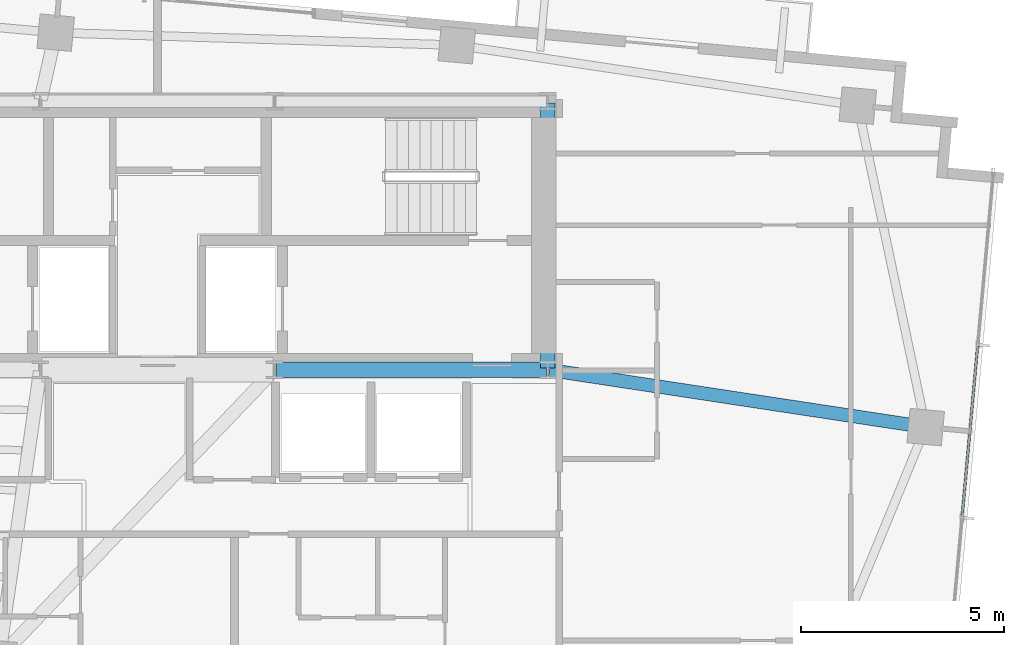
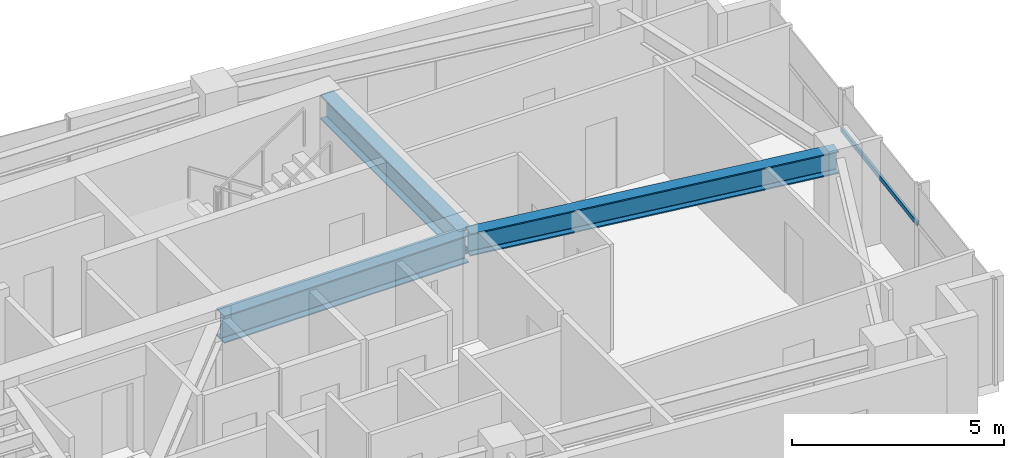
# One storey, part 13 of 22: 3 beams, 1 member, 1 element without a shape of its own.
"""IFC4 building model written with IfcOpenShell, lengths in metres."""

from ifc_helpers import new_model, si_unit, direction, frame, origin, origin_2d, place, context, subcontext, project, spatial, hollow_rectangle, i_section, extrude, source, transform, mapped, material, material_profile, profile_set, type_object, type_shapes, element, aggregate, save


model = new_model("IFC4")

# Units and contexts
model_context = context("Model", 3, precision=1e-05, world=origin(), true_north=direction((0.0, 1.0)))
body_context = subcontext(model_context, "Body", "Model", "MODEL_VIEW")
ifc_project = project(units=[si_unit("LENGTHUNIT", "METRE"), si_unit("AREAUNIT", "SQUARE_METRE"), si_unit("VOLUMEUNIT", "CUBIC_METRE"), si_unit("PLANEANGLEUNIT", "RADIAN"), si_unit("MASSUNIT", "GRAM", prefix="KILO")], contexts=[model_context])

# Site, building, storey
site_placement = place(None, origin())
site = spatial("IfcSite", under=ifc_project, at=site_placement, CompositionType="ELEMENT")
building_placement = place(site_placement, origin())
building = spatial("IfcBuilding", under=site, at=building_placement, Name="Astriad Promenade Condominiums", CompositionType="ELEMENT")
storey_placement = place(building_placement, frame((0.0, 0.0, 226.5)))
storey = spatial("IfcBuildingStorey", under=building, at=storey_placement, Name="L65", CompositionType="ELEMENT", Elevation=226.5)

# Beams
ifc_material_1 = material(Name="Steel ASTM A992 Grade 50", Category="steel")
ifc_material_profile_1 = material_profile(ifc_material_1, i_section(OverallWidth=0.3837890625, OverallDepth=0.785888671875, WebThickness=0.019775390625, FlangeThickness=0.033447265625, FilletRadius=0.021484375, at=origin_2d()), Name="W30X211")
ifc_profile_set_1 = profile_set([ifc_material_profile_1], Name="Steel ASTM A992 Grade 50")
beam_type_1 = type_object("IfcBeamType", Name="STEEL FLOOR GIRDER W30X211", PredefinedType="BEAM", material=ifc_profile_set_1)
shared_shape_1 = source(origin(), body_context, "Body", "SweptSolid", [
    extrude(i_section(OverallWidth=0.3837890625, OverallDepth=0.785888671875, WebThickness=0.019775390625, FlangeThickness=0.033447265625, FilletRadius=0.021484375, at=origin_2d()), origin(), (0.0, 0.0, 1.0), 6.64013671875),
])
type_shapes(beam_type_1, [shared_shape_1])
beam_1_placement = place(storey_placement, frame((38.919921875, 17.39990234375, 2.64697265625), z_axis=(1.0, 0.0, 0.0), x_axis=(0.0, 1.0, 0.0)))
element("IfcBeam", 1, at=beam_1_placement, inside=storey, type_object=beam_type_1, Name="Core Ring Beam CG-S3-L65", PredefinedType="BEAM", context=body_context, shape_type="MappedRepresentation", body=[
    mapped(shared_shape_1, transform((0.0, 0.0, 0.0), scale=1.0)),
])
ifc_material_profile_2 = material_profile(ifc_material_1, i_section(OverallWidth=0.35791015625, OverallDepth=0.706298828125, WebThickness=0.018310546875, FlangeThickness=0.0302734375, FilletRadius=0.020263671875, at=origin_2d()), Name="W27X178")
ifc_profile_set_2 = profile_set([ifc_material_profile_2], Name="Steel ASTM A992 Grade 50")
beam_type_2 = type_object("IfcBeamType", Name="STEEL FLOOR GIRDER W27X178", PredefinedType="BEAM", material=ifc_profile_set_2)
shared_shape_2 = source(origin(), body_context, "Body", "SweptSolid", [
    extrude(i_section(OverallWidth=0.35791015625, OverallDepth=0.706298828125, WebThickness=0.018310546875, FlangeThickness=0.0302734375, FilletRadius=0.020263671875, at=origin_2d()), origin(), (0.0, 0.0, 1.0), 6.52001953125),
])
type_shapes(beam_type_2, [shared_shape_2])
beam_2_placement = place(storey_placement, frame((45.60009765625, 17.43994140625, 2.686767578125), z_axis=(0.0, 1.0, 0.0), x_axis=(-1.0, 0.0, 0.0)))
element("IfcBeam", 2, at=beam_2_placement, inside=storey, type_object=beam_type_2, Name="Core Ring Beam CG-E1-L65", PredefinedType="BEAM", context=body_context, shape_type="MappedRepresentation", body=[
    mapped(shared_shape_2, transform((0.0, 0.0, 0.0), scale=1.0)),
])
ifc_material_profile_3 = material_profile(ifc_material_1, i_section(OverallWidth=0.327392578125, OverallDepth=0.640625, WebThickness=0.01904296875, FlangeThickness=0.033935546875, FilletRadius=0.017822265625, at=origin_2d()), Name="W24X176")
ifc_profile_set_3 = profile_set([ifc_material_profile_3], Name="Steel ASTM A992 Grade 50")
beam_type_3 = type_object("IfcBeamType", Name="STEEL FLOOR GIRDER W24X176", PredefinedType="BEAM", material=ifc_profile_set_3)
shared_shape_3 = source(origin(), body_context, "Body", "SweptSolid", [
    extrude(i_section(OverallWidth=0.327392578125, OverallDepth=0.640625, WebThickness=0.01904296875, FlangeThickness=0.033935546875, FilletRadius=0.017822265625, at=origin_2d()), origin(), (0.0, 0.0, 1.0), 9.315185546875),
])
type_shapes(beam_type_3, [shared_shape_3])
beam_3_placement = place(storey_placement, frame((54.84912109375, 15.995849609375, 2.7197265625), z_axis=(-0.988671230988, 0.150097291834, 0.0), x_axis=(-0.150097291834, -0.988671230988, 0.0)))
element("IfcBeam", 3, at=beam_3_placement, inside=storey, type_object=beam_type_3, Name="Primary Floor Girder PG-EM-L65", PredefinedType="BEAM", context=body_context, shape_type="MappedRepresentation", body=[
    mapped(shared_shape_3, transform((0.0, 0.0, 0.0), scale=1.0)),
])

# Curtain wall, member
ifc_material_2 = material(Name="Anodised aluminium Black Dark Glass Unitised", Category="aluminium")
curtain_wall_type = type_object("IfcCurtainWallType", Name="CW-B5-DARK", PredefinedType="USERDEFINED", material=ifc_material_2)
curtain_wall_placement = place(storey_placement, origin())
curtain_wall = element("IfcCurtainWall", 4, at=curtain_wall_placement, inside=storey, type_object=curtain_wall_type, Name="CW-L65-E", ObjectType="UNITISED_CURTAIN_WALL", PredefinedType="USERDEFINED")
ifc_material_3 = material(Name="Anodised aluminium 6063-T6 Black", Category="aluminium")
ifc_material_profile_4 = material_profile(ifc_material_3, hollow_rectangle(XDim=0.06494140625, YDim=0.1298828125, WallThickness=0.00390625, at=origin_2d()), Name="ALU-TRN-65X130")
ifc_profile_set_4 = profile_set([ifc_material_profile_4], Name="Anodised aluminium 6063-T6 Black")
member_type = type_object("IfcMemberType", Name="TRN-ALU-TRN-65X130", PredefinedType="USERDEFINED", material=ifc_profile_set_4)
shared_shape_4 = source(origin(), body_context, "Body", "SweptSolid", [
    extrude(hollow_rectangle(XDim=0.06494140625, YDim=0.1298828125, WallThickness=0.00390625, at=origin_2d()), origin(), (0.0, 0.0, 1.0), 4.266845703125),
])
type_shapes(member_type, [shared_shape_4])
member_placement = place(storey_placement, frame((56.16748046875, 18.015625, 1.884765625), z_axis=(-0.090633767096, -0.995884290599, 0.0), x_axis=(0.995884290599, -0.090633767096, 0.0)))
member = element("IfcMember", 5, at=member_placement, type_object=member_type, Name="CW-L65-E-TRN-01-0", ObjectType="TRANSOM", PredefinedType="USERDEFINED", context=body_context, shape_type="MappedRepresentation", body=[
    mapped(shared_shape_4, transform((0.0, 0.0, 0.0), scale=1.0)),
])
aggregate(curtain_wall, [member])

save(model, "model.ifc")
